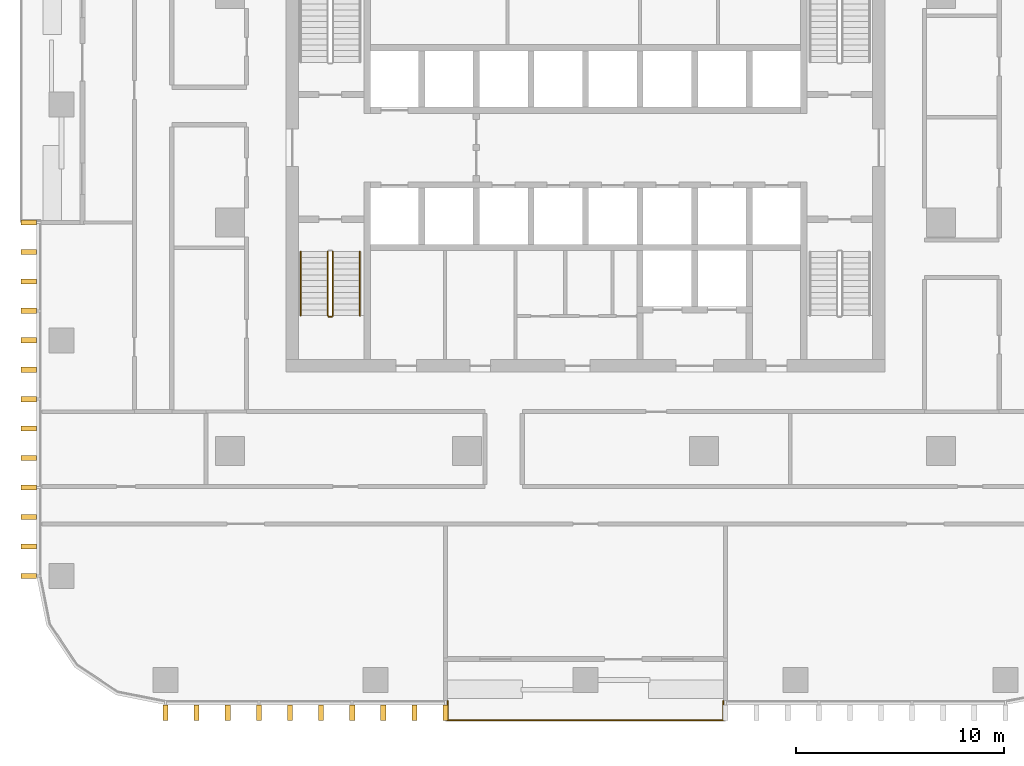
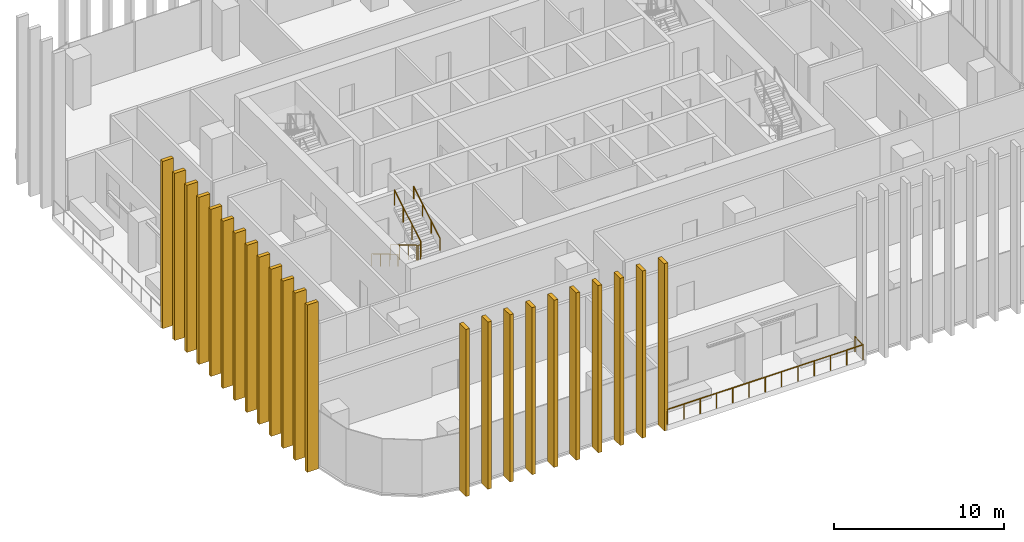
# One storey, part 12 of 15: 23 shading devices, 5 railings.
"""IFC4 building model written with IfcOpenShell, lengths in metres."""

from ifc_helpers import new_model, si_unit, direction, frame, origin, origin_2d, place, context, subcontext, project, spatial, rectangle, circle, extrude, material, type_object, element, save


model = new_model("IFC4")

# Units and contexts
model_context = context("Model", 3, precision=1e-05, world=origin(), true_north=direction((0.0, 1.0)))
body_context = subcontext(model_context, "Body", "Model", "MODEL_VIEW")
ifc_project = project(units=[si_unit("LENGTHUNIT", "METRE"), si_unit("AREAUNIT", "SQUARE_METRE"), si_unit("VOLUMEUNIT", "CUBIC_METRE"), si_unit("PLANEANGLEUNIT", "RADIAN"), si_unit("MASSUNIT", "GRAM", prefix="KILO")], contexts=[model_context])

# Site, building, storey
site_placement = place(None, origin())
site = spatial("IfcSite", under=ifc_project, at=site_placement, CompositionType="ELEMENT")
building_placement = place(site_placement, origin())
building = spatial("IfcBuilding", under=site, at=building_placement, Name="Mopane Tessera Tower", CompositionType="ELEMENT")
storey_placement = place(building_placement, frame((0.0, 0.0, 169.0)))
storey = spatial("IfcBuildingStorey", under=building, at=storey_placement, Name="L34", CompositionType="ELEMENT", Elevation=169.0)

# Shading devices
ifc_material_1 = material(Name="Glazed ceramic tile")
shading_device_type = type_object("IfcShadingDeviceType", Name="Ceramic tile fin 750 x 250 mm", PredefinedType="USERDEFINED", material=ifc_material_1)
for number, where, z_axis, x_axis, name in (
    (1, (-20.199951171875, -23.574951171875, -0.39990234375), (0.0, 0.0, 1.0), (1.0, 0.0, 0.0), "e:fin:L34:S:0:0"),
    (2, (-18.70361328125, -23.574951171875, -0.39990234375), (0.0, 0.0, 1.0), (1.0, 0.0, 0.0), "e:fin:L34:S:0:1"),
    (3, (-17.20751953125, -23.574951171875, -0.39990234375), (0.0, 0.0, 1.0), (1.0, 0.0, 0.0), "e:fin:L34:S:0:2"),
    (4, (-15.711181640625, -23.574951171875, -0.39990234375), (0.0, 0.0, 1.0), (1.0, 0.0, 0.0), "e:fin:L34:S:1:0"),
    (5, (-14.21484375, -23.574951171875, -0.39990234375), (0.0, 0.0, 1.0), (1.0, 0.0, 0.0), "e:fin:L34:S:1:1"),
    (6, (-12.718505859375, -23.574951171875, -0.39990234375), (0.0, 0.0, 1.0), (1.0, 0.0, 0.0), "e:fin:L34:S:1:2"),
    (7, (-11.22216796875, -23.574951171875, -0.39990234375), (0.0, 0.0, 1.0), (1.0, 0.0, 0.0), "e:fin:L34:S:2:0"),
    (8, (-9.725830078125, -23.574951171875, -0.39990234375), (0.0, 0.0, 1.0), (1.0, 0.0, 0.0), "e:fin:L34:S:2:1"),
    (9, (-8.229736328125, -23.574951171875, -0.39990234375), (0.0, 0.0, 1.0), (1.0, 0.0, 0.0), "e:fin:L34:S:2:2"),
    (10, (-6.7333984375, -23.574951171875, -0.39990234375), (0.0, 0.0, 1.0), (1.0, 0.0, 0.0), "e:fin:L34:S:2:3"),
    (11, (-26.77490234375, 0.0, -0.39990234375), (0.0, 0.0, 1.0), (0.0, -1.0, 0.0), "e:fin:L34:W:4:0"),
    (12, (-26.77490234375, -1.416748046875, -0.39990234375), (0.0, 0.0, 1.0), (0.0, -1.0, 0.0), "e:fin:L34:W:4:1"),
    (13, (-26.77490234375, -2.833251953125, -0.39990234375), (0.0, 0.0, 1.0), (0.0, -1.0, 0.0), "e:fin:L34:W:4:2"),
    (14, (-26.77490234375, -4.25, -0.39990234375), (0.0, 0.0, 1.0), (0.0, -1.0, 0.0), "e:fin:L34:W:5:0"),
    (15, (-26.77490234375, -5.666748046875, -0.39990234375), (0.0, 0.0, 1.0), (0.0, -1.0, 0.0), "e:fin:L34:W:5:1"),
    (16, (-26.77490234375, -7.083251953125, -0.39990234375), (0.0, 0.0, 1.0), (0.0, -1.0, 0.0), "e:fin:L34:W:5:2"),
    (17, (-26.77490234375, -8.5, -0.39990234375), (0.0, 0.0, 1.0), (0.0, -1.0, 0.0), "e:fin:L34:W:6:0"),
    (18, (-26.77490234375, -9.916748046875, -0.39990234375), (0.0, 0.0, 1.0), (0.0, -1.0, 0.0), "e:fin:L34:W:6:1"),
    (19, (-26.77490234375, -11.333251953125, -0.39990234375), (0.0, 0.0, 1.0), (0.0, -1.0, 0.0), "e:fin:L34:W:6:2"),
    (20, (-26.77490234375, -12.75, -0.39990234375), (0.0, 0.0, 1.0), (0.0, -1.0, 0.0), "e:fin:L34:W:7:0"),
    (21, (-26.77490234375, -14.166748046875, -0.39990234375), (0.0, 0.0, 1.0), (0.0, -1.0, 0.0), "e:fin:L34:W:7:1"),
    (22, (-26.77490234375, -15.583251953125, -0.39990234375), (0.0, 0.0, 1.0), (0.0, -1.0, 0.0), "e:fin:L34:W:7:2"),
    (23, (-26.77490234375, -17.0, -0.39990234375), (0.0, 0.0, 1.0), (0.0, -1.0, 0.0), "e:fin:L34:W:7:3"),
):
    element("IfcShadingDevice", number, at=place(storey_placement, frame(where, z_axis=z_axis, x_axis=x_axis)), inside=storey, type_object=shading_device_type, Name=name, ObjectType="FIN", PredefinedType="USERDEFINED", context=body_context, shape_type="SweptSolid", body=[
        extrude(rectangle(XDim=0.25, YDim=0.75, at=origin_2d()), origin(), (0.0, 0.0, 1.0), 12.0),
    ])

# Railings
ifc_material_2 = material(Name="Powder-coated steel balustrade", Category="steel")
railing_type_1 = type_object("IfcRailingType", Name="Escape stair guard 1100 mm", PredefinedType="GUARDRAIL", material=ifc_material_2)
railing_1_placement = place(storey_placement, frame((-12.39990234375, -1.39990234375, 0.166748046875)))
element("IfcRailing", 24, at=railing_1_placement, inside=storey, type_object=railing_type_1, Name="L34 ST1 stair guard 1", PredefinedType="GUARDRAIL", context=body_context, shape_type="SweptSolid", body=[
    extrude(circle(Radius=0.02392578125, at=origin_2d()), frame((0.0, 0.0, 1.076171875), z_axis=(0.0, -0.859308565015, 0.511457515432), x_axis=(1.0, 0.0, 0.0)), (0.0, 0.0, 1.0), 3.58447265625),
    extrude(circle(Radius=0.02392578125, at=origin_2d()), frame((0.0, -3.080078125, 2.9091796875), z_axis=(0.705375805398, -0.708833529934, 0.0), x_axis=(0.708833529934, 0.705375805398, 0.0)), (0.0, 0.0, 1.0), 0.070556640625),
    extrude(circle(Radius=0.02392578125, at=origin_2d()), frame((0.0498046875, -3.130126953125, 2.9091796875), z_axis=(1.0, 0.0, 0.0), x_axis=(0.0, 1.0, 0.0)), (0.0, 0.0, 1.0), 0.150146484375),
    extrude(circle(Radius=0.02099609375, at=origin_2d()), origin(), (0.0, 0.0, 1.0), 1.052001953125),
    extrude(circle(Radius=0.02099609375, at=origin_2d()), frame((0.0, -1.026611328125, 0.611083984375)), (0.0, 0.0, 1.0), 1.052001953125),
    extrude(circle(Radius=0.02099609375, at=origin_2d()), frame((0.0, -2.053466796875, 1.22216796875)), (0.0, 0.0, 1.0), 1.052001953125),
    extrude(circle(Radius=0.02099609375, at=origin_2d()), frame((0.0, -3.080078125, 1.833251953125)), (0.0, 0.0, 1.0), 1.052001953125),
    extrude(circle(Radius=0.02099609375, at=origin_2d()), frame((0.0498046875, -3.130126953125, 1.833251953125)), (0.0, 0.0, 1.0), 1.052001953125),
    extrude(circle(Radius=0.02099609375, at=origin_2d()), frame((0.199951171875, -3.130126953125, 1.833251953125)), (0.0, 0.0, 1.0), 1.052001953125),
])
railing_2_placement = place(storey_placement, frame((-12.14990234375, -4.47998046875, 2.166748046875)))
element("IfcRailing", 25, at=railing_2_placement, inside=storey, type_object=railing_type_1, Name="L34 ST1 stair guard 2", PredefinedType="GUARDRAIL", context=body_context, shape_type="SweptSolid", body=[
    extrude(circle(Radius=0.02392578125, at=origin_2d()), frame((0.0, 0.0, 1.076171875), z_axis=(0.0, 0.859308565015, 0.511457515432), x_axis=(-1.0, 0.0, 0.0)), (0.0, 0.0, 1.0), 3.58447265625),
    extrude(circle(Radius=0.02099609375, at=origin_2d()), origin(), (0.0, 0.0, 1.0), 1.052001953125),
    extrude(circle(Radius=0.02099609375, at=origin_2d()), frame((0.0, 1.026611328125, 0.611083984375)), (0.0, 0.0, 1.0), 1.052001953125),
    extrude(circle(Radius=0.02099609375, at=origin_2d()), frame((0.0, 2.053466796875, 1.22216796875)), (0.0, 0.0, 1.0), 1.052001953125),
    extrude(circle(Radius=0.02099609375, at=origin_2d()), frame((0.0, 3.080078125, 1.833251953125)), (0.0, 0.0, 1.0), 1.052001953125),
])
ifc_material_3 = material(Name="Powder-coated steel balustrade", Category="steel")
railing_type_2 = type_object("IfcRailingType", Name="Escape stair handrail 900 mm", PredefinedType="HANDRAIL", material=ifc_material_3)
railing_3_placement = place(storey_placement, frame((-13.699951171875, -1.39990234375, 0.166748046875)))
element("IfcRailing", 26, at=railing_3_placement, inside=storey, type_object=railing_type_2, Name="L34 ST1 stair handrail 1", PredefinedType="HANDRAIL", context=body_context, shape_type="SweptSolid", body=[
    extrude(circle(Radius=0.02392578125, at=origin_2d()), frame((0.0, 0.0, 0.8759765625), z_axis=(0.0, -0.859308565015, 0.511457515432), x_axis=(1.0, 0.0, 0.0)), (0.0, 0.0, 1.0), 3.58447265625),
    extrude(circle(Radius=0.02099609375, at=origin_2d()), origin(), (0.0, 0.0, 1.0), 0.851806640625),
    extrude(circle(Radius=0.02099609375, at=origin_2d()), frame((0.0, -1.026611328125, 0.611083984375)), (0.0, 0.0, 1.0), 0.851806640625),
    extrude(circle(Radius=0.02099609375, at=origin_2d()), frame((0.0, -2.053466796875, 1.22216796875)), (0.0, 0.0, 1.0), 0.851806640625),
    extrude(circle(Radius=0.02099609375, at=origin_2d()), frame((0.0, -3.080078125, 1.833251953125)), (0.0, 0.0, 1.0), 0.851806640625),
])
railing_4_placement = place(storey_placement, frame((-10.85009765625, -4.47998046875, 2.166748046875)))
element("IfcRailing", 27, at=railing_4_placement, inside=storey, type_object=railing_type_2, Name="L34 ST1 stair handrail 2", PredefinedType="HANDRAIL", context=body_context, shape_type="SweptSolid", body=[
    extrude(circle(Radius=0.02392578125, at=origin_2d()), frame((0.0, 0.0, 0.8759765625), z_axis=(0.0, 0.859308565015, 0.511457515432), x_axis=(-1.0, 0.0, 0.0)), (0.0, 0.0, 1.0), 3.58447265625),
    extrude(circle(Radius=0.02099609375, at=origin_2d()), origin(), (0.0, 0.0, 1.0), 0.851806640625),
    extrude(circle(Radius=0.02099609375, at=origin_2d()), frame((0.0, 1.026611328125, 0.611083984375)), (0.0, 0.0, 1.0), 0.851806640625),
    extrude(circle(Radius=0.02099609375, at=origin_2d()), frame((0.0, 2.053466796875, 1.22216796875)), (0.0, 0.0, 1.0), 0.851806640625),
    extrude(circle(Radius=0.02099609375, at=origin_2d()), frame((0.0, 3.080078125, 1.833251953125)), (0.0, 0.0, 1.0), 0.851806640625),
])
ifc_material_4 = material(Name="Stainless steel S316", Category="steel")
railing_type_3 = type_object("IfcRailingType", Name="Terrace guard 1100", PredefinedType="GUARDRAIL", material=ifc_material_4)
railing_5_placement = place(storey_placement, frame((-6.63330078125, -23.0, 0.0)))
element("IfcRailing", 28, at=railing_5_placement, inside=storey, type_object=railing_type_3, Name="e:nw:L34:N2:guard", PredefinedType="GUARDRAIL", context=body_context, shape_type="SweptSolid", body=[
    extrude(circle(Radius=0.02392578125, at=origin_2d()), frame((0.0, 0.0, 1.076171875), z_axis=(0.0, -1.0, 0.0), x_axis=(1.0, 0.0, 0.0)), (0.0, 0.0, 1.0), 0.949951171875),
    extrude(circle(Radius=0.02392578125, at=origin_2d()), frame((0.0, -0.949951171875, 1.076171875), z_axis=(1.0, 0.0, 0.0), x_axis=(0.0, 1.0, 0.0)), (0.0, 0.0, 1.0), 13.2666015625),
    extrude(circle(Radius=0.02392578125, at=origin_2d()), frame((13.2666015625, -0.949951171875, 1.076171875), z_axis=(0.0, 1.0, 0.0), x_axis=(-1.0, 0.0, 0.0)), (0.0, 0.0, 1.0), 0.949951171875),
    extrude(circle(Radius=0.02099609375, at=origin_2d()), origin(), (0.0, 0.0, 1.0), 1.052001953125),
    extrude(circle(Radius=0.02099609375, at=origin_2d()), frame((0.0, -0.949951171875, 0.0)), (0.0, 0.0, 1.0), 1.052001953125),
    extrude(circle(Radius=0.02099609375, at=origin_2d()), frame((1.10546875, -0.949951171875, 0.0)), (0.0, 0.0, 1.0), 1.052001953125),
    extrude(circle(Radius=0.02099609375, at=origin_2d()), frame((2.211181640625, -0.949951171875, 0.0)), (0.0, 0.0, 1.0), 1.052001953125),
    extrude(circle(Radius=0.02099609375, at=origin_2d()), frame((3.316650390625, -0.949951171875, 0.0)), (0.0, 0.0, 1.0), 1.052001953125),
    extrude(circle(Radius=0.02099609375, at=origin_2d()), frame((4.422119140625, -0.949951171875, 0.0)), (0.0, 0.0, 1.0), 1.052001953125),
    extrude(circle(Radius=0.02099609375, at=origin_2d()), frame((5.52783203125, -0.949951171875, 0.0)), (0.0, 0.0, 1.0), 1.052001953125),
    extrude(circle(Radius=0.02099609375, at=origin_2d()), frame((6.63330078125, -0.949951171875, 0.0)), (0.0, 0.0, 1.0), 1.052001953125),
    extrude(circle(Radius=0.02099609375, at=origin_2d()), frame((7.73876953125, -0.949951171875, 0.0)), (0.0, 0.0, 1.0), 1.052001953125),
    extrude(circle(Radius=0.02099609375, at=origin_2d()), frame((8.844482421875, -0.949951171875, 0.0)), (0.0, 0.0, 1.0), 1.052001953125),
    extrude(circle(Radius=0.02099609375, at=origin_2d()), frame((9.949951171875, -0.949951171875, 0.0)), (0.0, 0.0, 1.0), 1.052001953125),
    extrude(circle(Radius=0.02099609375, at=origin_2d()), frame((11.055419921875, -0.949951171875, 0.0)), (0.0, 0.0, 1.0), 1.052001953125),
    extrude(circle(Radius=0.02099609375, at=origin_2d()), frame((12.1611328125, -0.949951171875, 0.0)), (0.0, 0.0, 1.0), 1.052001953125),
    extrude(circle(Radius=0.02099609375, at=origin_2d()), frame((13.2666015625, -0.949951171875, 0.0)), (0.0, 0.0, 1.0), 1.052001953125),
    extrude(circle(Radius=0.02099609375, at=origin_2d()), frame((13.2666015625, 0.0, 0.0)), (0.0, 0.0, 1.0), 1.052001953125),
])

save(model, "model.ifc")
